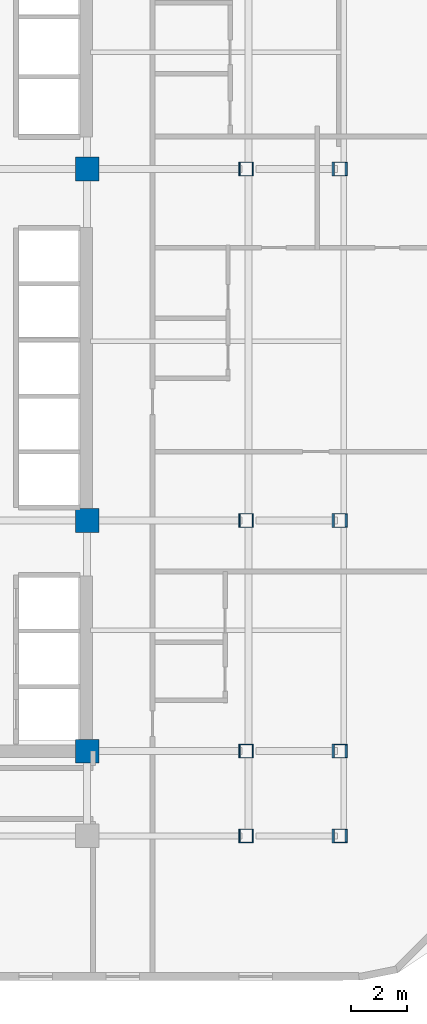
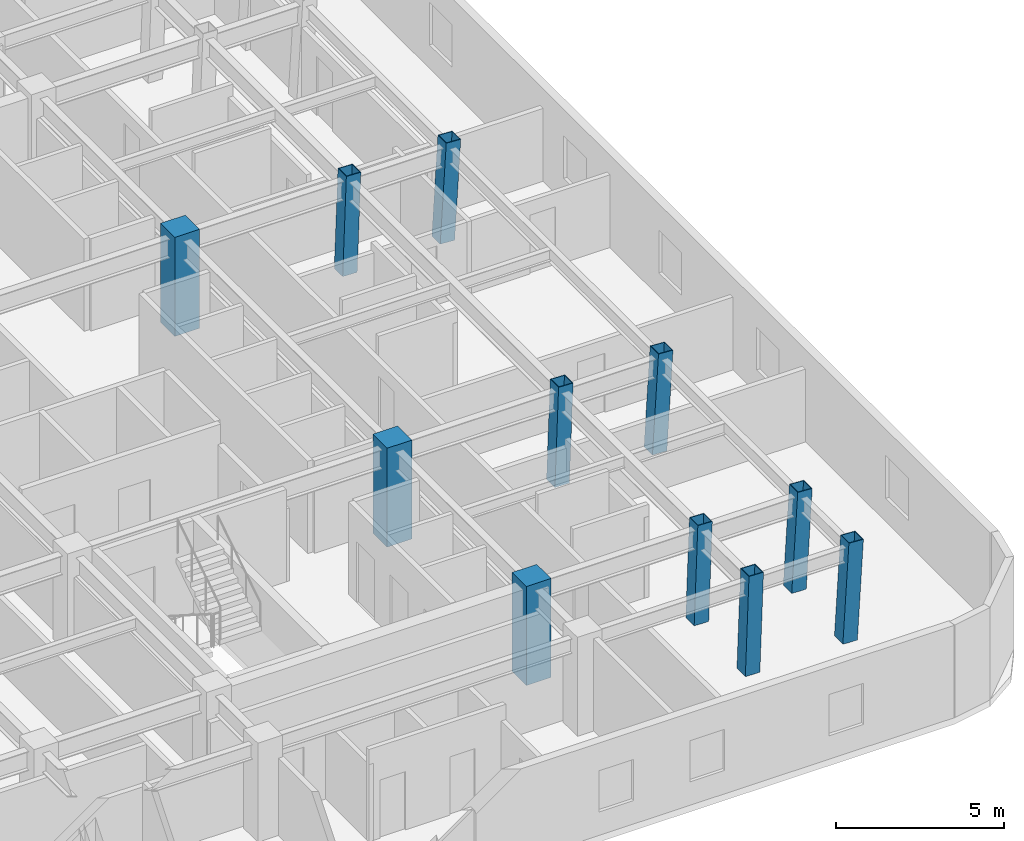
# One storey, part 2 of 12: 11 columns.
"""IFC4 building model written with IfcOpenShell, lengths in metres."""

from ifc_helpers import new_model, si_unit, direction, frame, origin, origin_2d, place, context, subcontext, project, spatial, rectangle, hollow_rectangle, extrude, material, material_profile, profile_set, type_object, element, save


model = new_model("IFC4")

# Units and contexts
model_context = context("Model", 3, precision=1e-05, world=origin(), true_north=direction((0.0, 1.0)))
body_context = subcontext(model_context, "Body", "Model", "MODEL_VIEW")
ifc_project = project(units=[si_unit("LENGTHUNIT", "METRE"), si_unit("AREAUNIT", "SQUARE_METRE"), si_unit("VOLUMEUNIT", "CUBIC_METRE"), si_unit("PLANEANGLEUNIT", "RADIAN"), si_unit("MASSUNIT", "GRAM", prefix="KILO")], contexts=[model_context])

# Site, building, storey
site_placement = place(None, origin())
site = spatial("IfcSite", under=ifc_project, at=site_placement, CompositionType="ELEMENT")
building_placement = place(site_placement, origin())
building = spatial("IfcBuilding", under=site, at=building_placement, Name="Ochreholt Gables", CompositionType="ELEMENT")
storey_placement = place(building_placement, frame((0.0, 0.0, 27.60009765625)))
storey = spatial("IfcBuildingStorey", under=building, at=storey_placement, Name="L06", CompositionType="ELEMENT", Elevation=27.60009765625)

# Columns
ifc_material_1 = material(Name="Steel CSA G40.21 350W", Category="steel")
ifc_material_profile_1 = material_profile(ifc_material_1, hollow_rectangle(XDim=0.5, YDim=0.5, WallThickness=0.02197265625, at=origin_2d()), Name="HSS500X500X22")
ifc_profile_set_1 = profile_set([ifc_material_profile_1], Name="Steel CSA G40.21 350W")
column_type_1 = type_object("IfcColumnType", Name="COL-HSS500-RAK", PredefinedType="COLUMN", material=ifc_profile_set_1)
for number, where, z_axis, x_axis, name in (
    (1, (40.902099609375, 9.25, 0.0), (0.034973505036, 0.0, 0.999388239847), (0.0, 1.0, 0.0), "L06 Column EMY2"),
    (2, (40.902099609375, 17.550048828125, 0.0), (0.034973505036, 0.0, 0.999388239847), (0.0, 1.0, 0.0), "L06 Column EMY3"),
    (3, (40.902099609375, 30.199951171875, 0.0), (0.034973505036, 0.0, 0.999388239847), (0.0, 1.0, 0.0), "L06 Column EMY4"),
):
    element("IfcColumn", number, at=place(storey_placement, frame(where, z_axis=z_axis, x_axis=x_axis)), inside=storey, type_object=column_type_1, Name=name, PredefinedType="COLUMN", context=body_context, shape_type="SweptSolid", body=[
        extrude(hollow_rectangle(XDim=0.5, YDim=0.5, WallThickness=0.02197265625, at=origin_2d()), origin(), (0.0, 0.0, 1.0), 3.60205078125),
    ])
ifc_material_profile_2 = material_profile(ifc_material_1, hollow_rectangle(XDim=0.5, YDim=0.5, WallThickness=0.02197265625, at=origin_2d()), Name="HSS500X500X22")
ifc_profile_set_2 = profile_set([ifc_material_profile_2], Name="Steel CSA G40.21 350W")
column_type_2 = type_object("IfcColumnType", Name="COL-HSS500-RAKE", PredefinedType="COLUMN", material=ifc_profile_set_2)
column_placement = place(storey_placement, frame((40.902099609375, 6.199951171875, 0.0), z_axis=(0.034973505036, 0.0, 0.999388239847), x_axis=(0.0, 1.0, 0.0)))
element("IfcColumn", 4, at=column_placement, inside=storey, type_object=column_type_2, Name="L06 Column EMY1", PredefinedType="COLUMN", context=body_context, shape_type="SweptSolid", body=[
    extrude(hollow_rectangle(XDim=0.5, YDim=0.5, WallThickness=0.02197265625, at=origin_2d()), origin(), (0.0, 0.0, 1.0), 3.60205078125),
])
for number, where, z_axis, x_axis, name in (
    (5, (44.257568359375, 6.199951171875, 0.0), (0.057888518877, 0.0, 0.998323053617), (0.0, 1.0, 0.0), "L06 Column EEY1"),
    (6, (44.257568359375, 9.25, 0.0), (0.057888518877, 0.0, 0.998323053617), (0.0, 1.0, 0.0), "L06 Column EEY2"),
    (7, (44.257568359375, 17.550048828125, 0.0), (0.057888518877, 0.0, 0.998323053617), (0.0, 1.0, 0.0), "L06 Column EEY3"),
    (8, (44.257568359375, 30.199951171875, 0.0), (0.057888518877, 0.0, 0.998323053617), (0.0, 1.0, 0.0), "L06 Column EEY4"),
):
    element("IfcColumn", number, at=place(storey_placement, frame(where, z_axis=z_axis, x_axis=x_axis)), inside=storey, type_object=column_type_2, Name=name, PredefinedType="COLUMN", context=body_context, shape_type="SweptSolid", body=[
        extrude(hollow_rectangle(XDim=0.5, YDim=0.5, WallThickness=0.02197265625, at=origin_2d()), origin(), (0.0, 0.0, 1.0), 3.60595703125),
    ])
ifc_material_2 = material(Name="Concrete 60 MPa", Category="concrete")
ifc_material_profile_3 = material_profile(ifc_material_2, rectangle(XDim=0.85009765625, YDim=0.85009765625, at=origin_2d()), Name="RC850X850")
ifc_profile_set_3 = profile_set([ifc_material_profile_3], Name="Concrete 60 MPa")
column_type_3 = type_object("IfcColumnType", Name="COL-RC850-INT", PredefinedType="COLUMN", material=ifc_profile_set_3)
for number, where, z_axis, x_axis, name in (
    (9, (35.199951171875, 9.25, 0.0), (0.0, 0.0, 1.0), (1.0, 0.0, 0.0), "L06 Column C2Y2"),
    (10, (35.199951171875, 17.550048828125, 0.0), (0.0, 0.0, 1.0), (1.0, 0.0, 0.0), "L06 Column C2Y3"),
    (11, (35.199951171875, 30.199951171875, 0.0), (0.0, 0.0, 1.0), (1.0, 0.0, 0.0), "L06 Column C2Y4"),
):
    element("IfcColumn", number, at=place(storey_placement, frame(where, z_axis=z_axis, x_axis=x_axis)), inside=storey, type_object=column_type_3, Name=name, PredefinedType="COLUMN", context=body_context, shape_type="SweptSolid", body=[
        extrude(rectangle(XDim=0.85009765625, YDim=0.85009765625, at=origin_2d()), origin(), (0.0, 0.0, 1.0), 3.599853515625),
    ])

save(model, "model.ifc")
